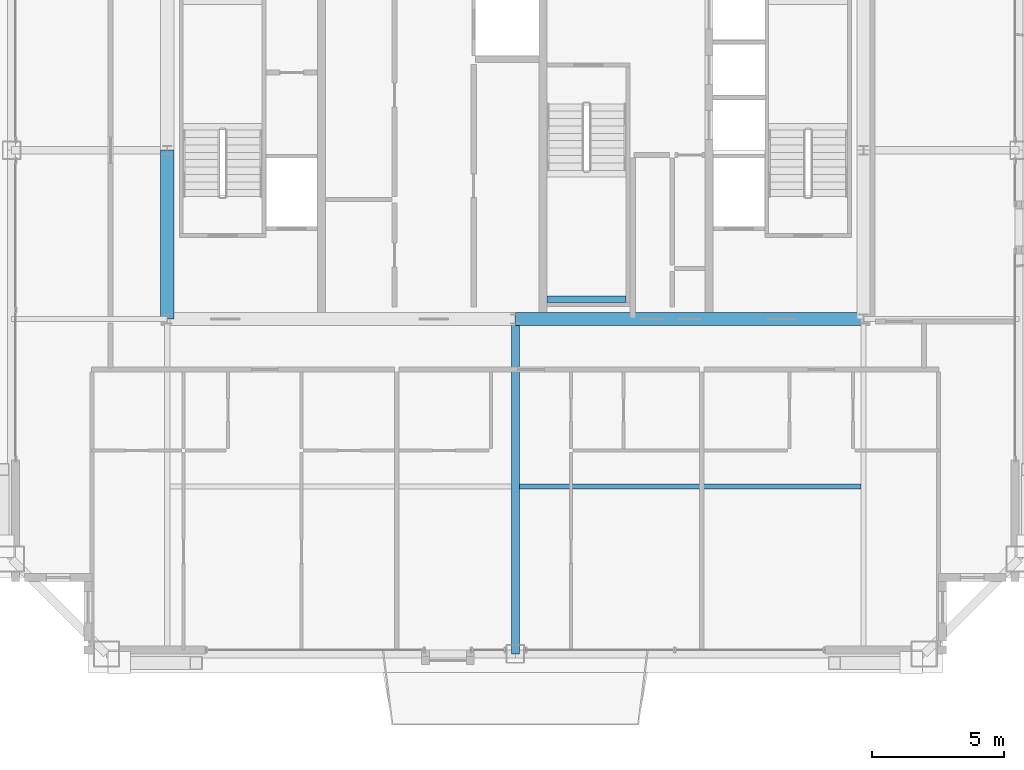
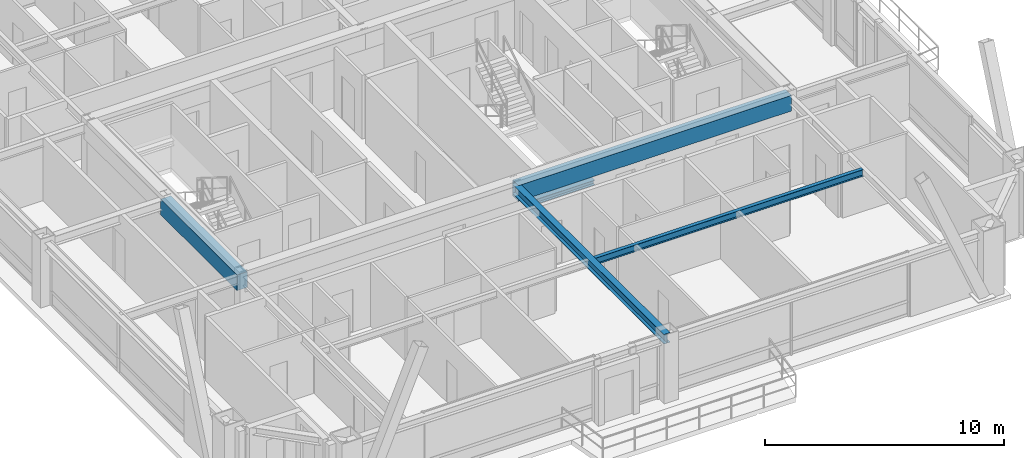
# One storey, part 10 of 35: 5 beams.
"""IFC4 building model written with IfcOpenShell, lengths in metres."""

from ifc_helpers import new_model, si_unit, direction, frame, origin, origin_2d, place, context, subcontext, project, spatial, rectangle, i_section, extrude, source, transform, mapped, material, material_profile, profile_set, type_object, element, save


model = new_model("IFC4")

# Units and contexts
model_context = context("Model", 3, precision=1e-05, world=origin(), true_north=direction((0.0, 1.0)))
body_context = subcontext(model_context, "Body", "Model", "MODEL_VIEW")
ifc_project = project(units=[si_unit("LENGTHUNIT", "METRE"), si_unit("AREAUNIT", "SQUARE_METRE"), si_unit("VOLUMEUNIT", "CUBIC_METRE"), si_unit("PLANEANGLEUNIT", "RADIAN"), si_unit("MASSUNIT", "GRAM", prefix="KILO"), si_unit("THERMODYNAMICTEMPERATUREUNIT", "KELVIN"), si_unit("POWERUNIT", "WATT")], contexts=[model_context])

# Site, building, storey
site_placement = place(None, origin())
site = spatial("IfcSite", under=ifc_project, at=site_placement, CompositionType="ELEMENT")
building_placement = place(site_placement, origin())
building = spatial("IfcBuilding", under=site, at=building_placement, Name="Yuzanri Waterfront Tower", CompositionType="ELEMENT")
storey_placement = place(building_placement, frame((0.0, 0.0, 335.699951171875)))
storey = spatial("IfcBuildingStorey", under=building, at=storey_placement, Name="L90", CompositionType="ELEMENT", Elevation=335.699951171875)

# Beams
ifc_material_1 = material(Name="Concrete C50", Category="concrete")
ifc_material_profile_1 = material_profile(ifc_material_1, rectangle(XDim=0.5, YDim=0.800048828125, at=origin_2d()), Name="RC 500x800")
ifc_profile_set_1 = profile_set([ifc_material_profile_1], Name="Concrete C50")
beam_type_1 = type_object("IfcBeamType", Name="Core Coupling Lintel Concrete C50 500x800", PredefinedType="LINTEL", material=ifc_profile_set_1)
shared_shape_1 = source(origin(), body_context, "Body", "SweptSolid", [
    extrude(rectangle(XDim=0.5, YDim=0.800048828125, at=origin_2d()), origin(), (0.0, 0.0, 1.0), 13.199951171875),
])
beam_1_placement = place(storey_placement, frame((37.0, 19.39990234375, 2.860107421875), z_axis=(1.0, 0.0, 0.0), x_axis=(0.0, 1.0, 0.0)))
element("IfcBeam", 1, at=beam_1_placement, inside=storey, type_object=beam_type_1, Name="L90 Core Tie Beam CS2", PredefinedType="LINTEL", context=body_context, shape_type="MappedRepresentation", body=[
    mapped(shared_shape_1, transform((0.0, 0.0, 0.0), scale=1.0)),
])
shared_shape_2 = source(origin(), body_context, "Body", "SweptSolid", [
    extrude(rectangle(XDim=0.5, YDim=0.800048828125, at=origin_2d()), origin(), (0.0, 0.0, 1.0), 6.400146484375),
])
beam_2_placement = place(storey_placement, frame((23.800048828125, 19.39990234375, 2.860107421875), z_axis=(0.0, 1.0, 0.0), x_axis=(-1.0, 0.0, 0.0)))
element("IfcBeam", 2, at=beam_2_placement, inside=storey, type_object=beam_type_1, Name="L90 Core Tie Beam CW1", PredefinedType="LINTEL", context=body_context, shape_type="MappedRepresentation", body=[
    mapped(shared_shape_2, transform((0.0, 0.0, 0.0), scale=1.0)),
])
ifc_material_2 = material(Name="Steel Q355B", Category="steel")
ifc_material_profile_2 = material_profile(ifc_material_2, i_section(OverallWidth=0.175048828125, OverallDepth=0.35009765625, WebThickness=0.007080078125, FlangeThickness=0.010986328125, at=origin_2d()), Name="HN 350x175x7x11")
ifc_profile_set_2 = profile_set([ifc_material_profile_2], Name="Steel Q355B")
beam_type_2 = type_object("IfcBeamType", Name="Floor Joist Q355B HN 350x175", PredefinedType="JOIST", material=ifc_profile_set_2)
shared_shape_3 = source(origin(), body_context, "Body", "SweptSolid", [
    extrude(i_section(OverallWidth=0.175048828125, OverallDepth=0.35009765625, WebThickness=0.007080078125, FlangeThickness=0.010986328125, at=origin_2d()), origin(), (0.0, 0.0, 1.0), 12.9501953125),
])
beam_3_placement = place(storey_placement, frame((37.14990234375, 13.050048828125, 3.0849609375), z_axis=(1.0, 0.0, 0.0), x_axis=(0.0, 1.0, 0.0)))
element("IfcBeam", 3, at=beam_3_placement, inside=storey, type_object=beam_type_2, Name="L90 South Bay Joist E", PredefinedType="JOIST", context=body_context, shape_type="MappedRepresentation", body=[
    mapped(shared_shape_3, transform((0.0, 0.0, 0.0), scale=1.0)),
])
ifc_material_3 = material(Name="Steel Q355B", Category="steel")
ifc_material_profile_3 = material_profile(ifc_material_3, i_section(OverallWidth=0.300048828125, OverallDepth=0.488037109375, WebThickness=0.010986328125, FlangeThickness=0.01806640625, at=origin_2d()), Name="HM 488x300x11x18")
ifc_profile_set_3 = profile_set([ifc_material_profile_3], Name="Steel Q355B")
beam_type_3 = type_object("IfcBeamType", Name="Primary Floor Girder Q355B HM 488x300", PredefinedType="BEAM", material=ifc_profile_set_3)
shared_shape_4 = source(origin(), body_context, "Body", "SweptSolid", [
    extrude(i_section(OverallWidth=0.300048828125, OverallDepth=0.488037109375, WebThickness=0.010986328125, FlangeThickness=0.01806640625, at=origin_2d()), origin(), (0.0, 0.0, 1.0), 12.699951171875),
])
beam_4_placement = place(storey_placement, frame((37.0, 19.39990234375, 3.01611328125), z_axis=(0.0, -1.0, 0.0), x_axis=(1.0, 0.0, 0.0)))
element("IfcBeam", 4, at=beam_4_placement, inside=storey, type_object=beam_type_3, Name="L90 South Grid Girder", PredefinedType="BEAM", context=body_context, shape_type="MappedRepresentation", body=[
    mapped(shared_shape_4, transform((0.0, 0.0, 0.0), scale=1.0)),
])
ifc_material_4 = material(Name="Steel Q355B", Category="steel")
ifc_material_profile_4 = material_profile(ifc_material_4, i_section(OverallWidth=0.25, OverallDepth=0.25, WebThickness=0.009033203125, FlangeThickness=0.013916015625, at=origin_2d()), Name="HW 250x250x9x14")
ifc_profile_set_4 = profile_set([ifc_material_profile_4], Name="Steel Q355B")
beam_type_4 = type_object("IfcBeamType", Name="Stair Landing Support Beam Q355B HW 250x250", PredefinedType="BEAM", material=ifc_profile_set_4)
shared_shape_5 = source(origin(), body_context, "Body", "SweptSolid", [
    extrude(i_section(OverallWidth=0.25, OverallDepth=0.25, WebThickness=0.009033203125, FlangeThickness=0.013916015625, at=origin_2d()), origin(), (0.0, 0.0, 1.0), 3.0),
])
beam_5_placement = place(storey_placement, frame((38.199951171875, 20.14990234375, 1.425048828125), z_axis=(1.0, 0.0, 0.0), x_axis=(0.0, 1.0, 0.0)))
element("IfcBeam", 5, at=beam_5_placement, inside=storey, type_object=beam_type_4, Name="L90 Stair Landing Support Beam ST-03-L90-L1-1", PredefinedType="BEAM", context=body_context, shape_type="MappedRepresentation", body=[
    mapped(shared_shape_5, transform((0.0, 0.0, 0.0), scale=1.0)),
])

save(model, "model.ifc")
